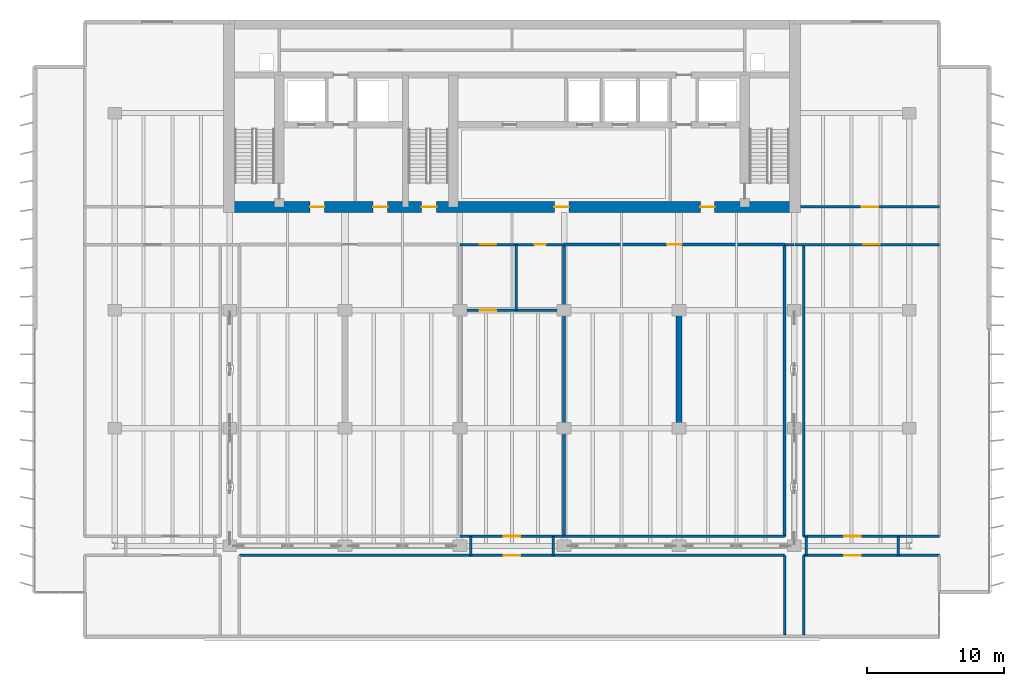
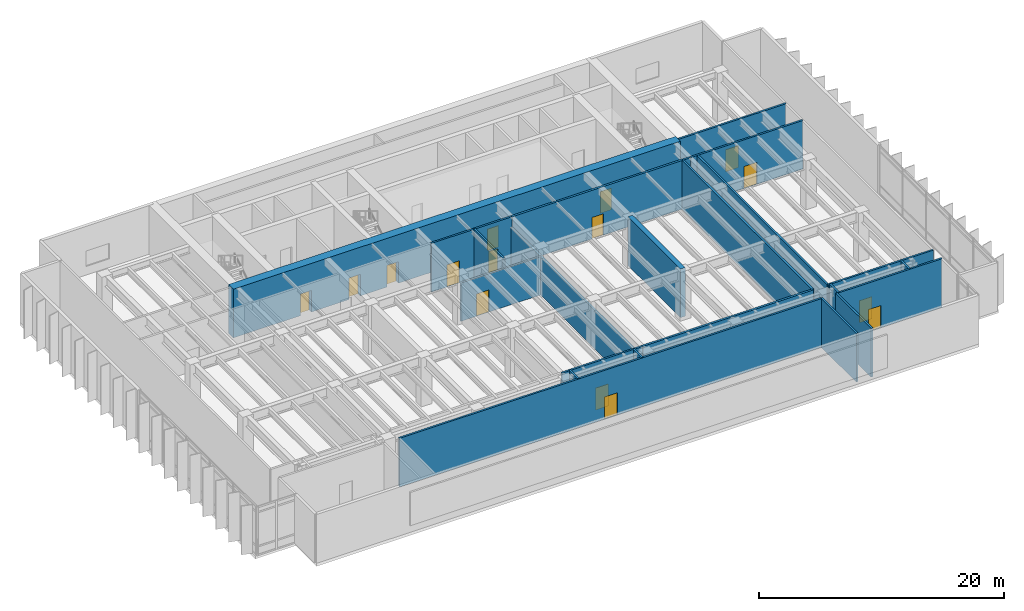
# One storey, part 13 of 18: 23 walls, 15 doors, 15 openings.
"""IFC4 building model written with IfcOpenShell, lengths in metres."""

from ifc_helpers import new_model, si_unit, direction, frame, frame_2d, origin, place, context, subcontext, project, spatial, rectangle, extrude, material, layer, layer_set, type_object, element, fill, save


model = new_model("IFC4")

# Units and contexts
model_context = context("Model", 3, precision=1e-05, world=origin(), true_north=direction((0.0, 1.0)))
body_context = subcontext(model_context, "Body", "Model", "MODEL_VIEW")
ifc_project = project(units=[si_unit("LENGTHUNIT", "METRE"), si_unit("AREAUNIT", "SQUARE_METRE"), si_unit("VOLUMEUNIT", "CUBIC_METRE"), si_unit("PLANEANGLEUNIT", "RADIAN"), si_unit("MASSUNIT", "GRAM", prefix="KILO")], contexts=[model_context])

# Site, building, storey
site_placement = place(None, origin())
site = spatial("IfcSite", under=ifc_project, at=site_placement, CompositionType="ELEMENT")
building_placement = place(site_placement, origin())
building = spatial("IfcBuilding", under=site, at=building_placement, Name="Caelmar Bay Residences", CompositionType="ELEMENT")
storey_placement = place(building_placement, frame((0.0, 0.0, 152.10009765625)))
storey = spatial("IfcBuildingStorey", under=building, at=storey_placement, Name="L42", CompositionType="ELEMENT", Elevation=152.10009765625)

# Wall, openings, doors
ifc_material_1 = material(Name="Concrete f'c 70 MPa (10,000 psi)", Category="concrete")
ifc_layer_1 = layer(ifc_material_1, 0.800048828125)
ifc_layer_set_1 = layer_set([ifc_layer_1], Name="Concrete f'c 70 MPa (10,000 psi)")
wall_type_1 = type_object("IfcWallType", Name="SW-COR-800", PredefinedType="SHEAR", material=ifc_layer_set_1)
wall_1_placement = place(storey_placement, frame((17.85009765625, 36.949951171875, 0.0), z_axis=(0.0, 0.0, 1.0), x_axis=(1.0, 0.0, 0.0)))
wall_1 = element("IfcWall", 1, at=wall_1_placement, inside=storey, type_object=wall_type_1, Name="L42 Rear Core South Shear Wall", PredefinedType="SHEAR", context=body_context, shape_type="SweptSolid", body=[
    extrude(rectangle(XDim=42.099853515625, YDim=0.800048828125, at=frame_2d((21.0498046875, 0.0))), origin(), (0.0, 0.0, 1.0), 4.849853515625),
])
opening_1_placement = place(wall_1_placement, frame((14.449951171875, 0.0, 0.0)))
opening_1 = element("IfcOpeningElement", 2, at=opening_1_placement, cuts=wall_1, Name="Opening D-L42-105", PredefinedType="OPENING", context=body_context, shape_type="SweptSolid", body=[
    extrude(rectangle(XDim=1.10009765625, YDim=2.14990234375, at=frame_2d((0.550048828125, 1.074951171875))), frame((0.0, 0.409912109375, 0.0), z_axis=(0.0, -1.0, 0.0), x_axis=(1.0, 0.0, 0.0)), (0.0, 0.0, 1.0), 0.820068359375),
])
opening_2_placement = place(wall_1_placement, frame((6.300048828125, 0.0, 0.0)))
opening_2 = element("IfcOpeningElement", 3, at=opening_2_placement, cuts=wall_1, Name="Opening D-L42-106", PredefinedType="OPENING", context=body_context, shape_type="SweptSolid", body=[
    extrude(rectangle(XDim=1.050048828125, YDim=2.14990234375, at=frame_2d((0.52490234375, 1.074951171875))), frame((0.0, 0.409912109375, 0.0), z_axis=(0.0, -1.0, 0.0), x_axis=(1.0, 0.0, 0.0)), (0.0, 0.0, 1.0), 0.820068359375),
])
opening_3_placement = place(wall_1_placement, frame((34.800048828125, 0.0, 0.0)))
opening_3 = element("IfcOpeningElement", 4, at=opening_3_placement, cuts=wall_1, Name="Opening D-L42-109", PredefinedType="OPENING", context=body_context, shape_type="SweptSolid", body=[
    extrude(rectangle(XDim=1.050048828125, YDim=2.14990234375, at=frame_2d((0.52490234375, 1.074951171875))), frame((0.0, 0.409912109375, 0.0), z_axis=(0.0, -1.0, 0.0), x_axis=(1.0, 0.0, 0.0)), (0.0, 0.0, 1.0), 0.820068359375),
])
opening_4_placement = place(wall_1_placement, frame((10.91259765625, 0.0, 0.0)))
opening_4 = element("IfcOpeningElement", 5, at=opening_4_placement, cuts=wall_1, Name="Opening D-L42-112", PredefinedType="OPENING", context=body_context, shape_type="SweptSolid", body=[
    extrude(rectangle(XDim=1.050048828125, YDim=2.14990234375, at=frame_2d((0.52490234375, 1.074951171875))), frame((0.0, 0.409912109375, 0.0), z_axis=(0.0, -1.0, 0.0), x_axis=(1.0, 0.0, 0.0)), (0.0, 0.0, 1.0), 0.820068359375),
])
opening_5_placement = place(wall_1_placement, frame((24.14990234375, 0.0, 0.0)))
opening_5 = element("IfcOpeningElement", 6, at=opening_5_placement, cuts=wall_1, Name="Opening D-L42-113", PredefinedType="OPENING", context=body_context, shape_type="SweptSolid", body=[
    extrude(rectangle(XDim=1.050048828125, YDim=2.14990234375, at=frame_2d((0.52490234375, 1.074951171875))), frame((0.0, 0.409912109375, 0.0), z_axis=(0.0, -1.0, 0.0), x_axis=(1.0, 0.0, 0.0)), (0.0, 0.0, 1.0), 0.820068359375),
])
ifc_material_2 = material(Name="Fire-rated steel and walnut architectural door assembly", Category="steel")
ifc_layer_2 = layer(ifc_material_2, 0.050048828125)
ifc_layer_set_2 = layer_set([ifc_layer_2], Name="Fire-rated steel and walnut architectural door assembly")
door_type_1 = type_object("IfcDoorType", Name="D-FSAE-1050", OperationType="NOTDEFINED", PredefinedType="DOOR", material=ifc_layer_set_2)
door_1_placement = place(opening_2_placement, origin())
door_1 = element("IfcDoor", 7, at=door_1_placement, inside=storey, type_object=door_type_1, Name="L42 Firefighting Lobby West Door", OperationType="SINGLE_SWING_RIGHT", OverallHeight=2.14990234375, OverallWidth=1.050048828125, PredefinedType="DOOR", context=body_context, shape_type="SweptSolid", body=[
    extrude(rectangle(XDim=1.050048828125, YDim=2.14990234375, at=frame_2d((0.52490234375, 1.074951171875))), frame((0.0, 0.02490234375, 0.0), z_axis=(0.0, -1.0, 0.0), x_axis=(1.0, 0.0, 0.0)), (0.0, 0.0, 1.0), 0.050048828125),
])
fill(opening_2, door_1)
door_2_placement = place(opening_3_placement, origin())
door_2 = element("IfcDoor", 8, at=door_2_placement, inside=storey, type_object=door_type_1, Name="L42 Firefighting Lobby East Door", OperationType="SINGLE_SWING_LEFT", OverallHeight=2.14990234375, OverallWidth=1.050048828125, PredefinedType="DOOR", context=body_context, shape_type="SweptSolid", body=[
    extrude(rectangle(XDim=1.050048828125, YDim=2.14990234375, at=frame_2d((0.52490234375, 1.074951171875))), frame((0.0, 0.02490234375, 0.0), z_axis=(0.0, -1.0, 0.0), x_axis=(1.0, 0.0, 0.0)), (0.0, 0.0, 1.0), 0.050048828125),
])
fill(opening_3, door_2)
door_3_placement = place(opening_4_placement, origin())
door_3 = element("IfcDoor", 9, at=door_3_placement, inside=storey, type_object=door_type_1, Name="L42 West Lift Lobby Door", OperationType="SINGLE_SWING_RIGHT", OverallHeight=2.14990234375, OverallWidth=1.050048828125, PredefinedType="DOOR", context=body_context, shape_type="SweptSolid", body=[
    extrude(rectangle(XDim=1.050048828125, YDim=2.14990234375, at=frame_2d((0.52490234375, 1.074951171875))), frame((0.0, 0.02490234375, 0.0), z_axis=(0.0, -1.0, 0.0), x_axis=(1.0, 0.0, 0.0)), (0.0, 0.0, 1.0), 0.050048828125),
])
fill(opening_4, door_3)
door_4_placement = place(opening_5_placement, origin())
door_4 = element("IfcDoor", 10, at=door_4_placement, inside=storey, type_object=door_type_1, Name="L42 Passenger Lift Lobby Door", OperationType="SINGLE_SWING_LEFT", OverallHeight=2.14990234375, OverallWidth=1.050048828125, PredefinedType="DOOR", context=body_context, shape_type="SweptSolid", body=[
    extrude(rectangle(XDim=1.050048828125, YDim=2.14990234375, at=frame_2d((0.52490234375, 1.074951171875))), frame((0.0, 0.02490234375, 0.0), z_axis=(0.0, -1.0, 0.0), x_axis=(1.0, 0.0, 0.0)), (0.0, 0.0, 1.0), 0.050048828125),
])
fill(opening_5, door_4)
ifc_layer_3 = layer(ifc_material_2, 0.050048828125)
ifc_layer_set_3 = layer_set([ifc_layer_3], Name="Fire-rated steel and walnut architectural door assembly")
door_type_2 = type_object("IfcDoorType", Name="D-STAIR-1100", OperationType="NOTDEFINED", PredefinedType="DOOR", material=ifc_layer_set_3)
door_5_placement = place(opening_1_placement, origin())
door_5 = element("IfcDoor", 11, at=door_5_placement, inside=storey, type_object=door_type_2, Name="L42 Exit Stair ST3 Door", OperationType="SINGLE_SWING_LEFT", OverallHeight=2.14990234375, OverallWidth=1.10009765625, PredefinedType="DOOR", context=body_context, shape_type="SweptSolid", body=[
    extrude(rectangle(XDim=1.10009765625, YDim=2.14990234375, at=frame_2d((0.550048828125, 1.074951171875))), frame((0.0, 0.02490234375, 0.0), z_axis=(0.0, -1.0, 0.0), x_axis=(1.0, 0.0, 0.0)), (0.0, 0.0, 1.0), 0.050048828125),
])
fill(opening_1, door_5)

# Walls
ifc_material_3 = material(Name="Concrete f'c 55 MPa (8,000 psi)", Category="concrete")
ifc_layer_4 = layer(ifc_material_3, 0.449951171875)
ifc_layer_set_4 = layer_set([ifc_layer_4], Name="Concrete f'c 55 MPa (8,000 psi)")
wall_type_2 = type_object("IfcWallType", Name="SW-XSLB-450", PredefinedType="SHEAR", material=ifc_layer_set_4)
wall_2_placement = place(storey_placement, frame((51.10009765625, 20.800048828125, 0.0), z_axis=(0.0, 0.0, 1.0), x_axis=(0.0, 1.0, 0.0)))
element("IfcWall", 12, at=wall_2_placement, inside=storey, type_object=wall_type_2, Name="L42 Transverse Cross-Slab Shear Wall E8", PredefinedType="SHEAR", context=body_context, shape_type="SweptSolid", body=[
    extrude(rectangle(XDim=8.599853515625, YDim=0.449951171875, at=frame_2d((4.2998046875, 0.0))), origin(), (0.0, 0.0, 1.0), 4.849853515625),
])
ifc_material_4 = material(Name="Double-stud acoustic fire-rated gypsum partition 180 mm")
ifc_layer_5 = layer(ifc_material_4, 0.179931640625)
ifc_layer_set_5 = layer_set([ifc_layer_5], Name="Double-stud acoustic fire-rated gypsum partition 180 mm")
wall_type_3 = type_object("IfcWallType", Name="W-COR-200", PredefinedType="PARTITIONING", material=ifc_layer_set_5)
wall_3_placement = place(storey_placement, frame((35.89990234375, 11.5, 0.0), z_axis=(0.0, 0.0, 1.0), x_axis=(0.0, 1.0, 0.0)))
element("IfcWall", 13, at=wall_3_placement, inside=storey, type_object=wall_type_3, Name="L42 Partition Wall V014", PredefinedType="PARTITIONING", context=body_context, shape_type="SweptSolid", body=[
    extrude(rectangle(XDim=1.39990234375, YDim=0.179931640625, at=frame_2d((0.699951171875, 0.0))), origin(), (0.0, 0.0, 1.0), 4.849853515625),
])
wall_4_placement = place(storey_placement, frame((39.199951171875, 29.39990234375, 0.0), z_axis=(0.0, 0.0, 1.0), x_axis=(0.0, 1.0, 0.0)))
element("IfcWall", 14, at=wall_4_placement, inside=storey, type_object=wall_type_3, Name="L42 Partition Wall V016", PredefinedType="PARTITIONING", context=body_context, shape_type="SweptSolid", body=[
    extrude(rectangle(XDim=4.800048828125, YDim=0.179931640625, at=frame_2d((2.39990234375, 0.0))), origin(), (0.0, 0.0, 1.0), 4.849853515625),
])
wall_5_placement = place(storey_placement, frame((41.89990234375, 11.5, 0.0), z_axis=(0.0, 0.0, 1.0), x_axis=(0.0, 1.0, 0.0)))
element("IfcWall", 15, at=wall_5_placement, inside=storey, type_object=wall_type_3, Name="L42 Partition Wall V017", PredefinedType="PARTITIONING", context=body_context, shape_type="SweptSolid", body=[
    extrude(rectangle(XDim=1.39990234375, YDim=0.179931640625, at=frame_2d((0.699951171875, 0.0))), origin(), (0.0, 0.0, 1.0), 4.849853515625),
])
for number, where, z_axis, x_axis, name in (
    (16, (58.800048828125, 5.695068359375, 0.0), (0.0, 0.0, 1.0), (0.0, 1.0, 0.0), "L42 Partition Wall V026"),
    (17, (60.199951171875, 5.695068359375, 0.0), (0.0, 0.0, 1.0), (0.0, 1.0, 0.0), "L42 Partition Wall V028"),
):
    element("IfcWall", number, at=place(storey_placement, frame(where, z_axis=z_axis, x_axis=x_axis)), inside=storey, type_object=wall_type_3, Name=name, PredefinedType="PARTITIONING", context=body_context, shape_type="SweptSolid", body=[
        extrude(rectangle(XDim=5.804931640625, YDim=0.179931640625, at=frame_2d((2.90234375, 0.0))), origin(), (0.0, 0.0, 1.0), 4.849853515625),
    ])
wall_6_placement = place(storey_placement, frame((60.199951171875, 12.89990234375, 0.0), z_axis=(0.0, 0.0, 1.0), x_axis=(0.0, 1.0, 0.0)))
element("IfcWall", 18, at=wall_6_placement, inside=storey, type_object=wall_type_3, Name="L42 Partition Wall V029", PredefinedType="PARTITIONING", context=body_context, shape_type="SweptSolid", body=[
    extrude(rectangle(XDim=21.300048828125, YDim=0.179931640625, at=frame_2d((10.64990234375, 0.0))), origin(), (0.0, 0.0, 1.0), 4.849853515625),
])
wall_7_placement = place(storey_placement, frame((60.39990234375, 11.5048828125, 0.0), z_axis=(0.0, 0.0, 1.0), x_axis=(0.0, 1.0, 0.0)))
element("IfcWall", 19, at=wall_7_placement, inside=storey, type_object=wall_type_3, Name="L42 Partition Wall V030", PredefinedType="PARTITIONING", context=body_context, shape_type="SweptSolid", body=[
    extrude(rectangle(XDim=1.39013671875, YDim=0.179931640625, at=frame_2d((0.695068359375, 0.0))), origin(), (0.0, 0.0, 1.0), 4.849853515625),
])
wall_8_placement = place(storey_placement, frame((67.10009765625, 11.5, 0.0), z_axis=(0.0, 0.0, 1.0), x_axis=(0.0, 1.0, 0.0)))
element("IfcWall", 20, at=wall_8_placement, inside=storey, type_object=wall_type_3, Name="L42 Partition Wall V031", PredefinedType="PARTITIONING", context=body_context, shape_type="SweptSolid", body=[
    extrude(rectangle(XDim=1.39990234375, YDim=0.179931640625, at=frame_2d((0.699951171875, 0.0))), origin(), (0.0, 0.0, 1.0), 4.849853515625),
])

# Wall, opening, door
wall_9_placement = place(storey_placement, frame((19.0, 11.5, 0.0), z_axis=(0.0, 0.0, 1.0), x_axis=(1.0, 0.0, 0.0)))
wall_9 = element("IfcWall", 21, at=wall_9_placement, inside=storey, type_object=wall_type_3, Name="L42 Partition Wall H035", PredefinedType="PARTITIONING", context=body_context, shape_type="SweptSolid", body=[
    extrude(rectangle(XDim=39.800048828125, YDim=0.179931640625, at=frame_2d((19.89990234375, 0.0))), origin(), (0.0, 0.0, 1.0), 4.849853515625),
])
opening_6_placement = place(wall_9_placement, frame((19.300048828125, 0.0, 0.0)))
opening_6 = element("IfcOpeningElement", 22, at=opening_6_placement, cuts=wall_9, Name="Opening D-L42-129", PredefinedType="OPENING", context=body_context, shape_type="SweptSolid", body=[
    extrude(rectangle(XDim=1.199951171875, YDim=2.199951171875, at=frame_2d((0.60009765625, 1.10009765625))), frame((0.0, 0.099853515625, 0.0), z_axis=(0.0, -1.0, 0.0), x_axis=(1.0, 0.0, 0.0)), (0.0, 0.0, 1.0), 0.199951171875),
])
ifc_layer_6 = layer(ifc_material_2, 0.050048828125)
ifc_layer_set_6 = layer_set([ifc_layer_6], Name="Fire-rated steel and walnut architectural door assembly")
door_type_3 = type_object("IfcDoorType", Name="D-PLANT-1200", OperationType="NOTDEFINED", PredefinedType="DOOR", material=ifc_layer_set_6)
door_6_placement = place(opening_6_placement, origin())
door_6 = element("IfcDoor", 23, at=door_6_placement, inside=storey, type_object=door_type_3, Name="L42 Hydronic Heat Exchanger Plant Room L42 Door", OperationType="SINGLE_SWING_LEFT", OverallHeight=2.199951171875, OverallWidth=1.199951171875, PredefinedType="DOOR", context=body_context, shape_type="SweptSolid", body=[
    extrude(rectangle(XDim=1.199951171875, YDim=2.199951171875, at=frame_2d((0.60009765625, 1.10009765625))), frame((0.0, 0.02490234375, 0.0), z_axis=(0.0, -1.0, 0.0), x_axis=(1.0, 0.0, 0.0)), (0.0, 0.0, 1.0), 0.050048828125),
])
fill(opening_6, door_6)

wall_10_placement = place(storey_placement, frame((60.199951171875, 11.5, 0.0), z_axis=(0.0, 0.0, 1.0), x_axis=(1.0, 0.0, 0.0)))
wall_10 = element("IfcWall", 24, at=wall_10_placement, inside=storey, type_object=wall_type_3, Name="L42 Partition Wall H036", PredefinedType="PARTITIONING", context=body_context, shape_type="SweptSolid", body=[
    extrude(rectangle(XDim=9.900146484375, YDim=0.179931640625, at=frame_2d((4.9501953125, 0.0))), origin(), (0.0, 0.0, 1.0), 4.849853515625),
])
opening_7_placement = place(wall_10_placement, frame((2.949951171875, 0.0, 0.0)))
opening_7 = element("IfcOpeningElement", 25, at=opening_7_placement, cuts=wall_10, Name="Opening D-L42-133", PredefinedType="OPENING", context=body_context, shape_type="SweptSolid", body=[
    extrude(rectangle(XDim=1.199951171875, YDim=2.199951171875, at=frame_2d((0.60009765625, 1.10009765625))), frame((0.0, 0.099853515625, 0.0), z_axis=(0.0, -1.0, 0.0), x_axis=(1.0, 0.0, 0.0)), (0.0, 0.0, 1.0), 0.199951171875),
])
door_7_placement = place(opening_7_placement, origin())
door_7 = element("IfcDoor", 26, at=door_7_placement, inside=storey, type_object=door_type_3, Name="L42 East Intake Plenum Plant Room L42 Door", OperationType="SINGLE_SWING_LEFT", OverallHeight=2.199951171875, OverallWidth=1.199951171875, PredefinedType="DOOR", context=body_context, shape_type="SweptSolid", body=[
    extrude(rectangle(XDim=1.199951171875, YDim=2.199951171875, at=frame_2d((0.60009765625, 1.10009765625))), frame((0.0, 0.02490234375, 0.0), z_axis=(0.0, -1.0, 0.0), x_axis=(1.0, 0.0, 0.0)), (0.0, 0.0, 1.0), 0.050048828125),
])
fill(opening_7, door_7)

wall_11_placement = place(storey_placement, frame((35.10498046875, 12.89990234375, 0.0), z_axis=(0.0, 0.0, 1.0), x_axis=(1.0, 0.0, 0.0)))
wall_11 = element("IfcWall", 27, at=wall_11_placement, inside=storey, type_object=wall_type_3, Name="L42 Partition Wall H039", PredefinedType="PARTITIONING", context=body_context, shape_type="SweptSolid", body=[
    extrude(rectangle(XDim=7.594970703125, YDim=0.179931640625, at=frame_2d((3.79736328125, 0.0))), origin(), (0.0, 0.0, 1.0), 4.849853515625),
])
opening_8_placement = place(wall_11_placement, frame((3.195068359375, 0.0, 0.0)))
opening_8 = element("IfcOpeningElement", 28, at=opening_8_placement, cuts=wall_11, Name="Opening D-L42-128", PredefinedType="OPENING", context=body_context, shape_type="SweptSolid", body=[
    extrude(rectangle(XDim=1.199951171875, YDim=2.199951171875, at=frame_2d((0.60009765625, 1.10009765625))), frame((0.0, 0.099853515625, 0.0), z_axis=(0.0, -1.0, 0.0), x_axis=(1.0, 0.0, 0.0)), (0.0, 0.0, 1.0), 0.199951171875),
])
door_8_placement = place(opening_8_placement, origin())
door_8 = element("IfcDoor", 29, at=door_8_placement, inside=storey, type_object=door_type_3, Name="L42 Central Piping Plant Room L42 Door", OperationType="SINGLE_SWING_RIGHT", OverallHeight=2.199951171875, OverallWidth=1.199951171875, PredefinedType="DOOR", context=body_context, shape_type="SweptSolid", body=[
    extrude(rectangle(XDim=1.199951171875, YDim=2.199951171875, at=frame_2d((0.60009765625, 1.10009765625))), frame((0.0, 0.02490234375, 0.0), z_axis=(0.0, -1.0, 0.0), x_axis=(1.0, 0.0, 0.0)), (0.0, 0.0, 1.0), 0.050048828125),
])
fill(opening_8, door_8)

wall_12_placement = place(storey_placement, frame((60.199951171875, 12.89990234375, 0.0), z_axis=(0.0, 0.0, 1.0), x_axis=(1.0, 0.0, 0.0)))
wall_12 = element("IfcWall", 30, at=wall_12_placement, inside=storey, type_object=wall_type_3, Name="L42 Partition Wall H041", PredefinedType="PARTITIONING", context=body_context, shape_type="SweptSolid", body=[
    extrude(rectangle(XDim=9.900146484375, YDim=0.179931640625, at=frame_2d((4.9501953125, 0.0))), origin(), (0.0, 0.0, 1.0), 4.849853515625),
])
opening_9_placement = place(wall_12_placement, frame((2.949951171875, 0.0, 0.0)))
opening_9 = element("IfcOpeningElement", 31, at=opening_9_placement, cuts=wall_12, Name="Opening D-L42-132", PredefinedType="OPENING", context=body_context, shape_type="SweptSolid", body=[
    extrude(rectangle(XDim=1.199951171875, YDim=2.199951171875, at=frame_2d((0.60009765625, 1.10009765625))), frame((0.0, 0.099853515625, 0.0), z_axis=(0.0, -1.0, 0.0), x_axis=(1.0, 0.0, 0.0)), (0.0, 0.0, 1.0), 0.199951171875),
])
door_9_placement = place(opening_9_placement, origin())
door_9 = element("IfcDoor", 32, at=door_9_placement, inside=storey, type_object=door_type_3, Name="L42 East Intake Duct Plant Room L42 Door", OperationType="SINGLE_SWING_RIGHT", OverallHeight=2.199951171875, OverallWidth=1.199951171875, PredefinedType="DOOR", context=body_context, shape_type="SweptSolid", body=[
    extrude(rectangle(XDim=1.199951171875, YDim=2.199951171875, at=frame_2d((0.60009765625, 1.10009765625))), frame((0.0, 0.02490234375, 0.0), z_axis=(0.0, -1.0, 0.0), x_axis=(1.0, 0.0, 0.0)), (0.0, 0.0, 1.0), 0.050048828125),
])
fill(opening_9, door_9)

wall_13_placement = place(storey_placement, frame((35.10009765625, 29.39990234375, 0.0), z_axis=(0.0, 0.0, 1.0), x_axis=(1.0, 0.0, 0.0)))
wall_13 = element("IfcWall", 33, at=wall_13_placement, inside=storey, type_object=wall_type_3, Name="L42 Partition Wall H042", PredefinedType="PARTITIONING", context=body_context, shape_type="SweptSolid", body=[
    extrude(rectangle(XDim=7.599853515625, YDim=0.179931640625, at=frame_2d((3.7998046875, 0.0))), origin(), (0.0, 0.0, 1.0), 3.81396484375),
])
opening_10_placement = place(wall_13_placement, frame((1.449951171875, 0.0, 0.0)))
opening_10 = element("IfcOpeningElement", 34, at=opening_10_placement, cuts=wall_13, Name="Opening D-L42-127", PredefinedType="OPENING", context=body_context, shape_type="SweptSolid", body=[
    extrude(rectangle(XDim=1.199951171875, YDim=2.199951171875, at=frame_2d((0.60009765625, 1.10009765625))), frame((0.0, 0.099853515625, 0.0), z_axis=(0.0, -1.0, 0.0), x_axis=(1.0, 0.0, 0.0)), (0.0, 0.0, 1.0), 0.199951171875),
])
door_10_placement = place(opening_10_placement, origin())
door_10 = element("IfcDoor", 35, at=door_10_placement, inside=storey, type_object=door_type_3, Name="L42 Booster Pump Plant Room L42 Door", OperationType="SINGLE_SWING_LEFT", OverallHeight=2.199951171875, OverallWidth=1.199951171875, PredefinedType="DOOR", context=body_context, shape_type="SweptSolid", body=[
    extrude(rectangle(XDim=1.199951171875, YDim=2.199951171875, at=frame_2d((0.60009765625, 1.10009765625))), frame((0.0, 0.02490234375, 0.0), z_axis=(0.0, -1.0, 0.0), x_axis=(1.0, 0.0, 0.0)), (0.0, 0.0, 1.0), 0.050048828125),
])
fill(opening_10, door_10)

# Wall, openings, doors
wall_14_placement = place(storey_placement, frame((35.10498046875, 34.199951171875, 0.0), z_axis=(0.0, 0.0, 1.0), x_axis=(1.0, 0.0, 0.0)))
wall_14 = element("IfcWall", 36, at=wall_14_placement, inside=storey, type_object=wall_type_3, Name="L42 Partition Wall H046", PredefinedType="PARTITIONING", context=body_context, shape_type="SweptSolid", body=[
    extrude(rectangle(XDim=7.594970703125, YDim=0.179931640625, at=frame_2d((3.79736328125, 0.0))), origin(), (0.0, 0.0, 1.0), 4.849853515625),
])
opening_11_placement = place(wall_14_placement, frame((1.447509765625, 0.0, 0.0)))
opening_11 = element("IfcOpeningElement", 37, at=opening_11_placement, cuts=wall_14, Name="Opening D-L42-121", PredefinedType="OPENING", context=body_context, shape_type="SweptSolid", body=[
    extrude(rectangle(XDim=1.199951171875, YDim=2.199951171875, at=frame_2d((0.60009765625, 1.10009765625))), frame((0.0, 0.099853515625, 0.0), z_axis=(0.0, -1.0, 0.0), x_axis=(1.0, 0.0, 0.0)), (0.0, 0.0, 1.0), 0.199951171875),
])
opening_12_placement = place(wall_14_placement, frame((5.419921875, 0.0, 0.0)))
opening_12 = element("IfcOpeningElement", 38, at=opening_12_placement, cuts=wall_14, Name="Opening D-L42-122", PredefinedType="OPENING", context=body_context, shape_type="SweptSolid", body=[
    extrude(rectangle(XDim=0.85009765625, YDim=2.10009765625, at=frame_2d((0.425048828125, 1.050048828125))), frame((0.0, 0.099853515625, 0.0), z_axis=(0.0, -1.0, 0.0), x_axis=(1.0, 0.0, 0.0)), (0.0, 0.0, 1.0), 0.199951171875),
])
ifc_material_5 = material(Name="Solid walnut timber interior door leaf and frame", Category="wood")
ifc_layer_7 = layer(ifc_material_5, 0.050048828125)
ifc_layer_set_7 = layer_set([ifc_layer_7], Name="Solid walnut timber interior door leaf and frame")
door_type_4 = type_object("IfcDoorType", Name="D-BATH-850", OperationType="NOTDEFINED", PredefinedType="DOOR", material=ifc_layer_set_7)
door_11_placement = place(opening_12_placement, origin())
door_11 = element("IfcDoor", 39, at=door_11_placement, inside=storey, type_object=door_type_4, Name="L42 Refuge Accessible WC L42 Door", OperationType="SINGLE_SWING_RIGHT", OverallHeight=2.10009765625, OverallWidth=0.85009765625, PredefinedType="DOOR", context=body_context, shape_type="SweptSolid", body=[
    extrude(rectangle(XDim=0.85009765625, YDim=2.10009765625, at=frame_2d((0.425048828125, 1.050048828125))), frame((0.0, 0.02490234375, 0.0), z_axis=(0.0, -1.0, 0.0), x_axis=(1.0, 0.0, 0.0)), (0.0, 0.0, 1.0), 0.050048828125),
])
fill(opening_12, door_11)
door_12_placement = place(opening_11_placement, origin())
door_12 = element("IfcDoor", 40, at=door_12_placement, inside=storey, type_object=door_type_3, Name="L42 Switchgear Electrical Plant Room L42 Door", OperationType="SINGLE_SWING_LEFT", OverallHeight=2.199951171875, OverallWidth=1.199951171875, PredefinedType="DOOR", context=body_context, shape_type="SweptSolid", body=[
    extrude(rectangle(XDim=1.199951171875, YDim=2.199951171875, at=frame_2d((0.60009765625, 1.10009765625))), frame((0.0, 0.02490234375, 0.0), z_axis=(0.0, -1.0, 0.0), x_axis=(1.0, 0.0, 0.0)), (0.0, 0.0, 1.0), 0.050048828125),
])
fill(opening_11, door_12)

# Wall
wall_15_placement = place(storey_placement, frame((58.804931640625, 34.199951171875, 0.0), z_axis=(0.0, 0.0, 1.0), x_axis=(1.0, 0.0, 0.0)))
element("IfcWall", 41, at=wall_15_placement, inside=storey, type_object=wall_type_3, Name="L42 Partition Wall H048", PredefinedType="PARTITIONING", context=body_context, shape_type="SweptSolid", body=[
    extrude(rectangle(XDim=0.695068359375, YDim=0.179931640625, at=frame_2d((0.34765625, 0.0))), origin(), (0.0, 0.0, 1.0), 4.849853515625),
])

# Wall, opening, door
wall_16_placement = place(storey_placement, frame((59.550048828125, 34.199951171875, 0.0), z_axis=(0.0, 0.0, 1.0), x_axis=(1.0, 0.0, 0.0)))
wall_16 = element("IfcWall", 42, at=wall_16_placement, inside=storey, type_object=wall_type_3, Name="L42 Partition Wall H049", PredefinedType="PARTITIONING", context=body_context, shape_type="SweptSolid", body=[
    extrude(rectangle(XDim=10.550048828125, YDim=0.179931640625, at=frame_2d((5.27490234375, 0.0))), origin(), (0.0, 0.0, 1.0), 4.849853515625),
])
opening_13_placement = place(wall_16_placement, frame((5.0, 0.0, 0.0)))
opening_13 = element("IfcOpeningElement", 43, at=opening_13_placement, cuts=wall_16, Name="Opening D-L42-124", PredefinedType="OPENING", context=body_context, shape_type="SweptSolid", body=[
    extrude(rectangle(XDim=1.199951171875, YDim=2.199951171875, at=frame_2d((0.60009765625, 1.10009765625))), frame((0.0, 0.099853515625, 0.0), z_axis=(0.0, -1.0, 0.0), x_axis=(1.0, 0.0, 0.0)), (0.0, 0.0, 1.0), 0.199951171875),
])
door_13_placement = place(opening_13_placement, origin())
door_13 = element("IfcDoor", 44, at=door_13_placement, inside=storey, type_object=door_type_3, Name="L42 Outrigger Control Plant Room L42 Door", OperationType="SINGLE_SWING_RIGHT", OverallHeight=2.199951171875, OverallWidth=1.199951171875, PredefinedType="DOOR", context=body_context, shape_type="SweptSolid", body=[
    extrude(rectangle(XDim=1.199951171875, YDim=2.199951171875, at=frame_2d((0.60009765625, 1.10009765625))), frame((0.0, 0.02490234375, 0.0), z_axis=(0.0, -1.0, 0.0), x_axis=(1.0, 0.0, 0.0)), (0.0, 0.0, 1.0), 0.050048828125),
])
fill(opening_13, door_13)

wall_17_placement = place(storey_placement, frame((59.955078125, 36.949951171875, 0.0), z_axis=(0.0, 0.0, 1.0), x_axis=(1.0, 0.0, 0.0)))
wall_17 = element("IfcWall", 45, at=wall_17_placement, inside=storey, type_object=wall_type_3, Name="L42 Partition Wall H051", PredefinedType="PARTITIONING", context=body_context, shape_type="SweptSolid", body=[
    extrude(rectangle(XDim=10.14501953125, YDim=0.179931640625, at=frame_2d((5.072509765625, 0.0))), origin(), (0.0, 0.0, 1.0), 4.849853515625),
])
opening_14_placement = place(wall_17_placement, frame((4.472412109375, 0.0, 0.0)))
opening_14 = element("IfcOpeningElement", 46, at=opening_14_placement, cuts=wall_17, Name="Opening D-L42-126", PredefinedType="OPENING", context=body_context, shape_type="SweptSolid", body=[
    extrude(rectangle(XDim=1.199951171875, YDim=2.199951171875, at=frame_2d((0.60009765625, 1.10009765625))), frame((0.0, 0.099853515625, 0.0), z_axis=(0.0, -1.0, 0.0), x_axis=(1.0, 0.0, 0.0)), (0.0, 0.0, 1.0), 0.199951171875),
])
door_14_placement = place(opening_14_placement, origin())
door_14 = element("IfcDoor", 47, at=door_14_placement, inside=storey, type_object=door_type_3, Name="L42 North Relief Plant Room L42 Door", OperationType="SINGLE_SWING_RIGHT", OverallHeight=2.199951171875, OverallWidth=1.199951171875, PredefinedType="DOOR", context=body_context, shape_type="SweptSolid", body=[
    extrude(rectangle(XDim=1.199951171875, YDim=2.199951171875, at=frame_2d((0.60009765625, 1.10009765625))), frame((0.0, 0.02490234375, 0.0), z_axis=(0.0, -1.0, 0.0), x_axis=(1.0, 0.0, 0.0)), (0.0, 0.0, 1.0), 0.050048828125),
])
fill(opening_14, door_14)

# Walls
ifc_material_6 = material(Name="Fire-rated masonry and gypsum shaftliner assembly 200 mm", Category="masonry")
ifc_layer_8 = layer(ifc_material_6, 0.199951171875)
ifc_layer_set_8 = layer_set([ifc_layer_8], Name="Fire-rated masonry and gypsum shaftliner assembly 200 mm")
wall_type_4 = type_object("IfcWallType", Name="W-FSAE-200", PredefinedType="PARTITIONING", material=ifc_layer_set_8)
wall_18_placement = place(storey_placement, frame((42.699951171875, 12.89990234375, 0.0), z_axis=(0.0, 0.0, 1.0), x_axis=(0.0, 1.0, 0.0)))
element("IfcWall", 48, at=wall_18_placement, inside=storey, type_object=wall_type_4, Name="L42 Partition Wall V018", PredefinedType="PARTITIONING", context=body_context, shape_type="SweptSolid", body=[
    extrude(rectangle(XDim=21.300048828125, YDim=0.199951171875, at=frame_2d((10.64990234375, 0.0))), origin(), (0.0, 0.0, 1.0), 3.81396484375),
])
wall_19_placement = place(storey_placement, frame((58.800048828125, 12.89990234375, 0.0), z_axis=(0.0, 0.0, 1.0), x_axis=(0.0, 1.0, 0.0)))
element("IfcWall", 49, at=wall_19_placement, inside=storey, type_object=wall_type_4, Name="L42 Partition Wall V027", PredefinedType="PARTITIONING", context=body_context, shape_type="SweptSolid", body=[
    extrude(rectangle(XDim=21.300048828125, YDim=0.199951171875, at=frame_2d((10.64990234375, 0.0))), origin(), (0.0, 0.0, 1.0), 4.849853515625),
])
wall_20_placement = place(storey_placement, frame((42.705078125, 12.89990234375, 0.0), z_axis=(0.0, 0.0, 1.0), x_axis=(1.0, 0.0, 0.0)))
element("IfcWall", 50, at=wall_20_placement, inside=storey, type_object=wall_type_4, Name="L42 Partition Wall H040", PredefinedType="PARTITIONING", context=body_context, shape_type="SweptSolid", body=[
    extrude(rectangle(XDim=16.094970703125, YDim=0.199951171875, at=frame_2d((8.04736328125, 0.0))), origin(), (0.0, 0.0, 1.0), 4.849853515625),
])

# Wall, opening, door
wall_21_placement = place(storey_placement, frame((42.705078125, 34.199951171875, 0.0), z_axis=(0.0, 0.0, 1.0), x_axis=(1.0, 0.0, 0.0)))
wall_21 = element("IfcWall", 51, at=wall_21_placement, inside=storey, type_object=wall_type_4, Name="L42 Partition Wall H047", PredefinedType="PARTITIONING", context=body_context, shape_type="SweptSolid", body=[
    extrude(rectangle(XDim=16.094970703125, YDim=0.199951171875, at=frame_2d((8.04736328125, 0.0))), origin(), (0.0, 0.0, 1.0), 4.849853515625),
])
opening_15_placement = place(wall_21_placement, frame((7.5224609375, 0.0, 0.0)))
opening_15 = element("IfcOpeningElement", 52, at=opening_15_placement, cuts=wall_21, Name="Opening D-L42-123", PredefinedType="OPENING", context=body_context, shape_type="SweptSolid", body=[
    extrude(rectangle(XDim=1.050048828125, YDim=2.14990234375, at=frame_2d((0.52490234375, 1.074951171875))), frame((0.0, 0.10986328125, 0.0), z_axis=(0.0, -1.0, 0.0), x_axis=(1.0, 0.0, 0.0)), (0.0, 0.0, 1.0), 0.219970703125),
])
door_15_placement = place(opening_15_placement, origin())
door_15 = element("IfcDoor", 53, at=door_15_placement, inside=storey, type_object=door_type_1, Name="L42 East Area of Refuge L42 Door", OperationType="SINGLE_SWING_LEFT", OverallHeight=2.14990234375, OverallWidth=1.050048828125, PredefinedType="DOOR", context=body_context, shape_type="SweptSolid", body=[
    extrude(rectangle(XDim=1.050048828125, YDim=2.14990234375, at=frame_2d((0.52490234375, 1.074951171875))), frame((0.0, 0.02490234375, 0.0), z_axis=(0.0, -1.0, 0.0), x_axis=(1.0, 0.0, 0.0)), (0.0, 0.0, 1.0), 0.050048828125),
])
fill(opening_15, door_15)

save(model, "model.ifc")
